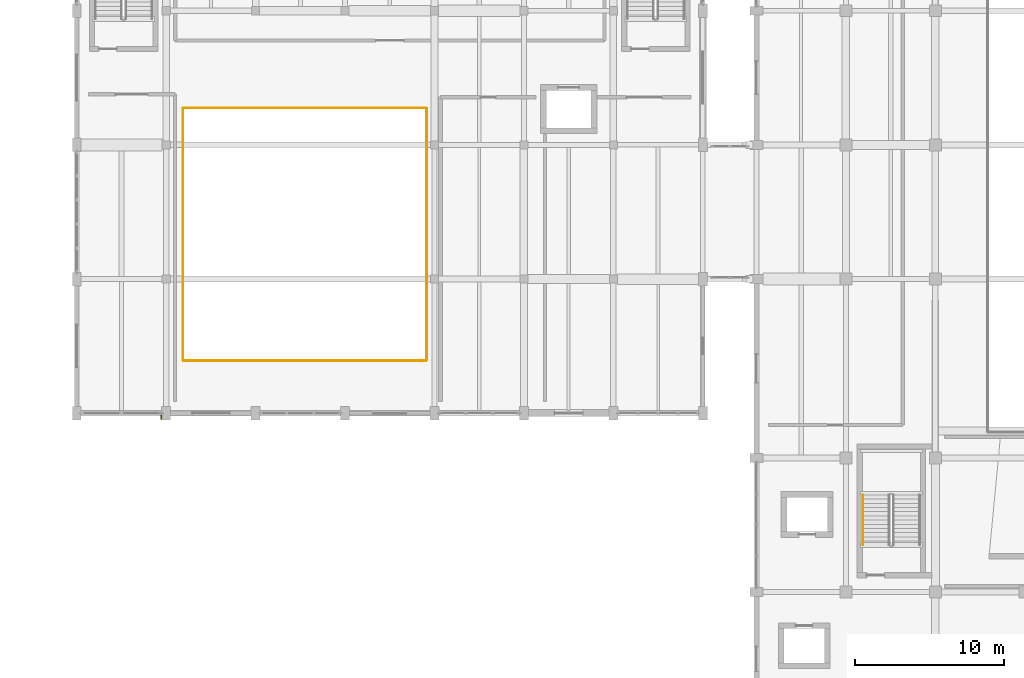
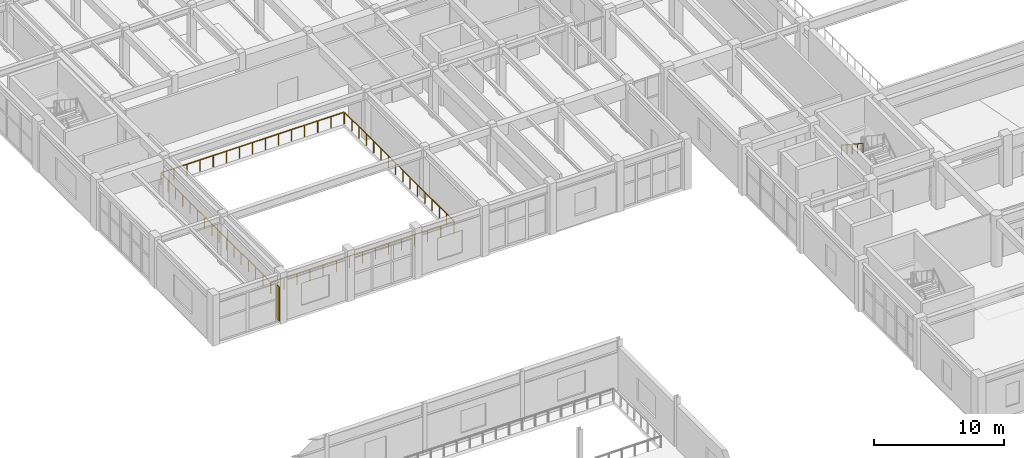
# One storey, part 85 of 96: 5 railings, 1 shading device.
"""IFC4 building model written with IfcOpenShell, lengths in metres."""

from ifc_helpers import new_model, si_unit, direction, frame, origin, origin_2d, place, context, subcontext, project, spatial, rectangle, circle, extrude, material, type_object, element, save


model = new_model("IFC4")

# Units and contexts
model_context = context("Model", 3, precision=1e-05, world=origin(), true_north=direction((0.0, 1.0)))
body_context = subcontext(model_context, "Body", "Model", "MODEL_VIEW")
ifc_project = project(units=[si_unit("LENGTHUNIT", "METRE"), si_unit("AREAUNIT", "SQUARE_METRE"), si_unit("VOLUMEUNIT", "CUBIC_METRE"), si_unit("PLANEANGLEUNIT", "RADIAN"), si_unit("MASSUNIT", "GRAM", prefix="KILO")], contexts=[model_context])

# Site, building, storey
site_placement = place(None, origin())
site = spatial("IfcSite", under=ifc_project, at=site_placement, CompositionType="ELEMENT")
building_placement = place(site_placement, origin())
building = spatial("IfcBuilding", under=site, at=building_placement, Name="Vaelkrest Opera House", CompositionType="ELEMENT")
storey_placement = place(building_placement, frame((0.0, 0.0, 5.39990234375)))
storey = spatial("IfcBuildingStorey", under=building, at=storey_placement, Name="L01", CompositionType="ELEMENT", Elevation=5.39990234375)

# Shading device
ifc_material = material(Name="Dark bronze anodized aluminium", Category="aluminium")
shading_device_type = type_object("IfcShadingDeviceType", Name="FIN01", PredefinedType="USERDEFINED", material=ifc_material)
shading_device_placement = place(storey_placement, frame((-69.93798828125, -16.97998046875, 0.27001953125), z_axis=(0.0, 0.0, 1.0), x_axis=(0.0, -1.0, 0.0)))
element("IfcShadingDevice", 1, at=shading_device_placement, inside=storey, type_object=shading_device_type, Name="Bronze vertical facade fin 11", ObjectType="FIN", PredefinedType="USERDEFINED", context=body_context, shape_type="SweptSolid", body=[
    extrude(rectangle(XDim=0.449951171875, YDim=0.080078125, at=origin_2d()), origin(), (0.0, 0.0, 1.0), 3.199951171875),
])

# Railings
railing_type_1 = type_object("IfcRailingType", Name="GR01", PredefinedType="GUARDRAIL", material=ifc_material)
railing_1_placement = place(storey_placement, frame((-68.43994140625, -13.280029296875, 0.0)))
element("IfcRailing", 2, at=railing_1_placement, inside=storey, type_object=railing_type_1, Name="Atrium/stage void guard V3 L01-1 seg 1", PredefinedType="GUARDRAIL", context=body_context, shape_type="SweptSolid", body=[
    extrude(circle(Radius=0.02392578125, at=origin_2d()), frame((0.0, 0.0, 1.076171875), z_axis=(1.0, 0.0, 0.0), x_axis=(0.0, 1.0, 0.0)), (0.0, 0.0, 1.0), 16.280029296875),
    extrude(circle(Radius=0.02099609375, at=origin_2d()), origin(), (0.0, 0.0, 1.0), 1.052001953125),
    extrude(circle(Radius=0.02099609375, at=origin_2d()), frame((1.162841796875, 0.0, 0.0)), (0.0, 0.0, 1.0), 1.052001953125),
    extrude(circle(Radius=0.02099609375, at=origin_2d()), frame((2.32568359375, 0.0, 0.0)), (0.0, 0.0, 1.0), 1.052001953125),
    extrude(circle(Radius=0.02099609375, at=origin_2d()), frame((3.488525390625, 0.0, 0.0)), (0.0, 0.0, 1.0), 1.052001953125),
    extrude(circle(Radius=0.02099609375, at=origin_2d()), frame((4.6513671875, 0.0, 0.0)), (0.0, 0.0, 1.0), 1.052001953125),
    extrude(circle(Radius=0.02099609375, at=origin_2d()), frame((5.814208984375, 0.0, 0.0)), (0.0, 0.0, 1.0), 1.052001953125),
    extrude(circle(Radius=0.02099609375, at=origin_2d()), frame((6.97705078125, 0.0, 0.0)), (0.0, 0.0, 1.0), 1.052001953125),
    extrude(circle(Radius=0.02099609375, at=origin_2d()), frame((8.14013671875, 0.0, 0.0)), (0.0, 0.0, 1.0), 1.052001953125),
    extrude(circle(Radius=0.02099609375, at=origin_2d()), frame((9.302978515625, 0.0, 0.0)), (0.0, 0.0, 1.0), 1.052001953125),
    extrude(circle(Radius=0.02099609375, at=origin_2d()), frame((10.4658203125, 0.0, 0.0)), (0.0, 0.0, 1.0), 1.052001953125),
    extrude(circle(Radius=0.02099609375, at=origin_2d()), frame((11.628662109375, 0.0, 0.0)), (0.0, 0.0, 1.0), 1.052001953125),
    extrude(circle(Radius=0.02099609375, at=origin_2d()), frame((12.79150390625, 0.0, 0.0)), (0.0, 0.0, 1.0), 1.052001953125),
    extrude(circle(Radius=0.02099609375, at=origin_2d()), frame((13.954345703125, 0.0, 0.0)), (0.0, 0.0, 1.0), 1.052001953125),
    extrude(circle(Radius=0.02099609375, at=origin_2d()), frame((15.1171875, 0.0, 0.0)), (0.0, 0.0, 1.0), 1.052001953125),
    extrude(circle(Radius=0.02099609375, at=origin_2d()), frame((16.280029296875, 0.0, 0.0)), (0.0, 0.0, 1.0), 1.052001953125),
])
railing_2_placement = place(storey_placement, frame((-52.1201171875, -13.239990234375, 0.0)))
element("IfcRailing", 3, at=railing_2_placement, inside=storey, type_object=railing_type_1, Name="Atrium/stage void guard V3 L01-1 seg 2", PredefinedType="GUARDRAIL", context=body_context, shape_type="SweptSolid", body=[
    extrude(circle(Radius=0.02392578125, at=origin_2d()), frame((0.0, 0.0, 1.076171875), z_axis=(0.0, 1.0, 0.0), x_axis=(-1.0, 0.0, 0.0)), (0.0, 0.0, 1.0), 16.8798828125),
    extrude(circle(Radius=0.02099609375, at=origin_2d()), origin(), (0.0, 0.0, 1.0), 1.052001953125),
    extrude(circle(Radius=0.02099609375, at=origin_2d()), frame((0.0, 1.125244140625, 0.0)), (0.0, 0.0, 1.0), 1.052001953125),
    extrude(circle(Radius=0.02099609375, at=origin_2d()), frame((0.0, 2.250732421875, 0.0)), (0.0, 0.0, 1.0), 1.052001953125),
    extrude(circle(Radius=0.02099609375, at=origin_2d()), frame((0.0, 3.3759765625, 0.0)), (0.0, 0.0, 1.0), 1.052001953125),
    extrude(circle(Radius=0.02099609375, at=origin_2d()), frame((0.0, 4.501220703125, 0.0)), (0.0, 0.0, 1.0), 1.052001953125),
    extrude(circle(Radius=0.02099609375, at=origin_2d()), frame((0.0, 5.626708984375, 0.0)), (0.0, 0.0, 1.0), 1.052001953125),
    extrude(circle(Radius=0.02099609375, at=origin_2d()), frame((0.0, 6.751953125, 0.0)), (0.0, 0.0, 1.0), 1.052001953125),
    extrude(circle(Radius=0.02099609375, at=origin_2d()), frame((0.0, 7.877197265625, 0.0)), (0.0, 0.0, 1.0), 1.052001953125),
    extrude(circle(Radius=0.02099609375, at=origin_2d()), frame((0.0, 9.002685546875, 0.0)), (0.0, 0.0, 1.0), 1.052001953125),
    extrude(circle(Radius=0.02099609375, at=origin_2d()), frame((0.0, 10.1279296875, 0.0)), (0.0, 0.0, 1.0), 1.052001953125),
    extrude(circle(Radius=0.02099609375, at=origin_2d()), frame((0.0, 11.253173828125, 0.0)), (0.0, 0.0, 1.0), 1.052001953125),
    extrude(circle(Radius=0.02099609375, at=origin_2d()), frame((0.0, 12.378662109375, 0.0)), (0.0, 0.0, 1.0), 1.052001953125),
    extrude(circle(Radius=0.02099609375, at=origin_2d()), frame((0.0, 13.50390625, 0.0)), (0.0, 0.0, 1.0), 1.052001953125),
    extrude(circle(Radius=0.02099609375, at=origin_2d()), frame((0.0, 14.629150390625, 0.0)), (0.0, 0.0, 1.0), 1.052001953125),
    extrude(circle(Radius=0.02099609375, at=origin_2d()), frame((0.0, 15.754638671875, 0.0)), (0.0, 0.0, 1.0), 1.052001953125),
    extrude(circle(Radius=0.02099609375, at=origin_2d()), frame((0.0, 16.8798828125, 0.0)), (0.0, 0.0, 1.0), 1.052001953125),
])
railing_3_placement = place(storey_placement, frame((-52.159912109375, 3.679931640625, 0.0)))
element("IfcRailing", 4, at=railing_3_placement, inside=storey, type_object=railing_type_1, Name="Atrium/stage void guard V3 L01-1 seg 3", PredefinedType="GUARDRAIL", context=body_context, shape_type="SweptSolid", body=[
    extrude(circle(Radius=0.02392578125, at=origin_2d()), frame((0.0, 0.0, 1.076171875), z_axis=(-1.0, 0.0, 0.0), x_axis=(0.0, -1.0, 0.0)), (0.0, 0.0, 1.0), 16.280029296875),
    extrude(circle(Radius=0.02099609375, at=origin_2d()), origin(), (0.0, 0.0, 1.0), 1.052001953125),
    extrude(circle(Radius=0.02099609375, at=origin_2d()), frame((-1.162841796875, 0.0, 0.0)), (0.0, 0.0, 1.0), 1.052001953125),
    extrude(circle(Radius=0.02099609375, at=origin_2d()), frame((-2.32568359375, 0.0, 0.0)), (0.0, 0.0, 1.0), 1.052001953125),
    extrude(circle(Radius=0.02099609375, at=origin_2d()), frame((-3.488525390625, 0.0, 0.0)), (0.0, 0.0, 1.0), 1.052001953125),
    extrude(circle(Radius=0.02099609375, at=origin_2d()), frame((-4.6513671875, 0.0, 0.0)), (0.0, 0.0, 1.0), 1.052001953125),
    extrude(circle(Radius=0.02099609375, at=origin_2d()), frame((-5.814208984375, 0.0, 0.0)), (0.0, 0.0, 1.0), 1.052001953125),
    extrude(circle(Radius=0.02099609375, at=origin_2d()), frame((-6.97705078125, 0.0, 0.0)), (0.0, 0.0, 1.0), 1.052001953125),
    extrude(circle(Radius=0.02099609375, at=origin_2d()), frame((-8.14013671875, 0.0, 0.0)), (0.0, 0.0, 1.0), 1.052001953125),
    extrude(circle(Radius=0.02099609375, at=origin_2d()), frame((-9.302978515625, 0.0, 0.0)), (0.0, 0.0, 1.0), 1.052001953125),
    extrude(circle(Radius=0.02099609375, at=origin_2d()), frame((-10.4658203125, 0.0, 0.0)), (0.0, 0.0, 1.0), 1.052001953125),
    extrude(circle(Radius=0.02099609375, at=origin_2d()), frame((-11.628662109375, 0.0, 0.0)), (0.0, 0.0, 1.0), 1.052001953125),
    extrude(circle(Radius=0.02099609375, at=origin_2d()), frame((-12.79150390625, 0.0, 0.0)), (0.0, 0.0, 1.0), 1.052001953125),
    extrude(circle(Radius=0.02099609375, at=origin_2d()), frame((-13.954345703125, 0.0, 0.0)), (0.0, 0.0, 1.0), 1.052001953125),
    extrude(circle(Radius=0.02099609375, at=origin_2d()), frame((-15.1171875, 0.0, 0.0)), (0.0, 0.0, 1.0), 1.052001953125),
    extrude(circle(Radius=0.02099609375, at=origin_2d()), frame((-16.280029296875, 0.0, 0.0)), (0.0, 0.0, 1.0), 1.052001953125),
])
railing_4_placement = place(storey_placement, frame((-68.47998046875, 3.639892578125, 0.0)))
element("IfcRailing", 5, at=railing_4_placement, inside=storey, type_object=railing_type_1, Name="Atrium/stage void guard V3 L01-1 seg 4", PredefinedType="GUARDRAIL", context=body_context, shape_type="SweptSolid", body=[
    extrude(circle(Radius=0.02392578125, at=origin_2d()), frame((0.0, 0.0, 1.076171875), z_axis=(0.0, -1.0, 0.0), x_axis=(1.0, 0.0, 0.0)), (0.0, 0.0, 1.0), 16.8798828125),
    extrude(circle(Radius=0.02099609375, at=origin_2d()), origin(), (0.0, 0.0, 1.0), 1.052001953125),
    extrude(circle(Radius=0.02099609375, at=origin_2d()), frame((0.0, -1.125244140625, 0.0)), (0.0, 0.0, 1.0), 1.052001953125),
    extrude(circle(Radius=0.02099609375, at=origin_2d()), frame((0.0, -2.250732421875, 0.0)), (0.0, 0.0, 1.0), 1.052001953125),
    extrude(circle(Radius=0.02099609375, at=origin_2d()), frame((0.0, -3.3759765625, 0.0)), (0.0, 0.0, 1.0), 1.052001953125),
    extrude(circle(Radius=0.02099609375, at=origin_2d()), frame((0.0, -4.501220703125, 0.0)), (0.0, 0.0, 1.0), 1.052001953125),
    extrude(circle(Radius=0.02099609375, at=origin_2d()), frame((0.0, -5.626708984375, 0.0)), (0.0, 0.0, 1.0), 1.052001953125),
    extrude(circle(Radius=0.02099609375, at=origin_2d()), frame((0.0, -6.751953125, 0.0)), (0.0, 0.0, 1.0), 1.052001953125),
    extrude(circle(Radius=0.02099609375, at=origin_2d()), frame((0.0, -7.877197265625, 0.0)), (0.0, 0.0, 1.0), 1.052001953125),
    extrude(circle(Radius=0.02099609375, at=origin_2d()), frame((0.0, -9.002685546875, 0.0)), (0.0, 0.0, 1.0), 1.052001953125),
    extrude(circle(Radius=0.02099609375, at=origin_2d()), frame((0.0, -10.1279296875, 0.0)), (0.0, 0.0, 1.0), 1.052001953125),
    extrude(circle(Radius=0.02099609375, at=origin_2d()), frame((0.0, -11.253173828125, 0.0)), (0.0, 0.0, 1.0), 1.052001953125),
    extrude(circle(Radius=0.02099609375, at=origin_2d()), frame((0.0, -12.378662109375, 0.0)), (0.0, 0.0, 1.0), 1.052001953125),
    extrude(circle(Radius=0.02099609375, at=origin_2d()), frame((0.0, -13.50390625, 0.0)), (0.0, 0.0, 1.0), 1.052001953125),
    extrude(circle(Radius=0.02099609375, at=origin_2d()), frame((0.0, -14.629150390625, 0.0)), (0.0, 0.0, 1.0), 1.052001953125),
    extrude(circle(Radius=0.02099609375, at=origin_2d()), frame((0.0, -15.754638671875, 0.0)), (0.0, 0.0, 1.0), 1.052001953125),
    extrude(circle(Radius=0.02099609375, at=origin_2d()), frame((0.0, -16.8798828125, 0.0)), (0.0, 0.0, 1.0), 1.052001953125),
])
railing_type_2 = type_object("IfcRailingType", Name="HR02", PredefinedType="HANDRAIL", material=ifc_material)
railing_5_placement = place(storey_placement, frame((-22.85009765625, -22.2900390625, 2.584716796875)))
element("IfcRailing", 6, at=railing_5_placement, inside=storey, type_object=railing_type_2, Name="L01 ST01 stair handrail 2", PredefinedType="HANDRAIL", context=body_context, shape_type="SweptSolid", body=[
    extrude(circle(Radius=0.02392578125, at=origin_2d()), frame((0.0, 0.0, 0.8759765625), z_axis=(0.0, -0.834858096282, 0.550465220583), x_axis=(1.0, 0.0, 0.0)), (0.0, 0.0, 1.0), 4.0244140625),
    extrude(circle(Radius=0.02099609375, at=origin_2d()), origin(), (0.0, 0.0, 1.0), 0.851806640625),
    extrude(circle(Radius=0.02099609375, at=origin_2d()), frame((0.0, -0.83984375, 0.5537109375)), (0.0, 0.0, 1.0), 0.851806640625),
    extrude(circle(Radius=0.02099609375, at=origin_2d()), frame((0.0, -1.679931640625, 1.107666015625)), (0.0, 0.0, 1.0), 0.851806640625),
    extrude(circle(Radius=0.02099609375, at=origin_2d()), frame((0.0, -2.52001953125, 1.66162109375)), (0.0, 0.0, 1.0), 0.851806640625),
    extrude(circle(Radius=0.02099609375, at=origin_2d()), frame((0.0, -3.35986328125, 2.21533203125)), (0.0, 0.0, 1.0), 0.851806640625),
])

save(model, "model.ifc")
